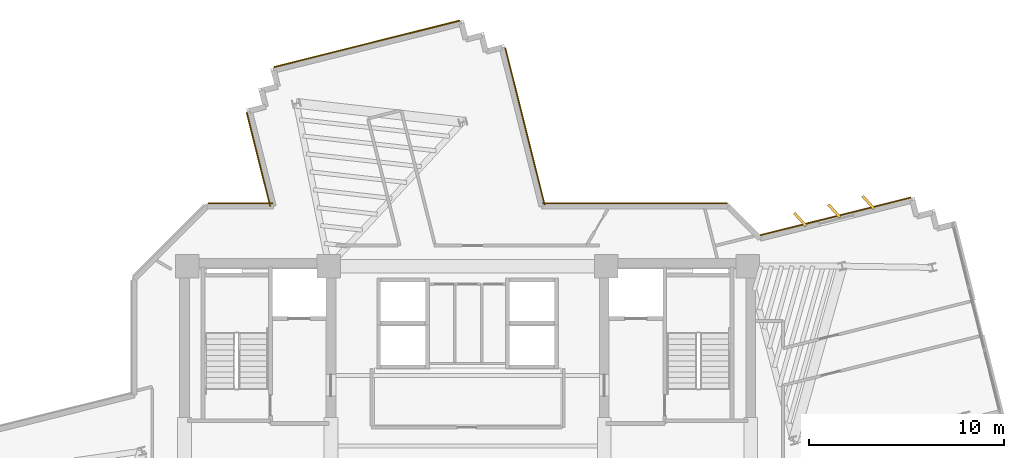
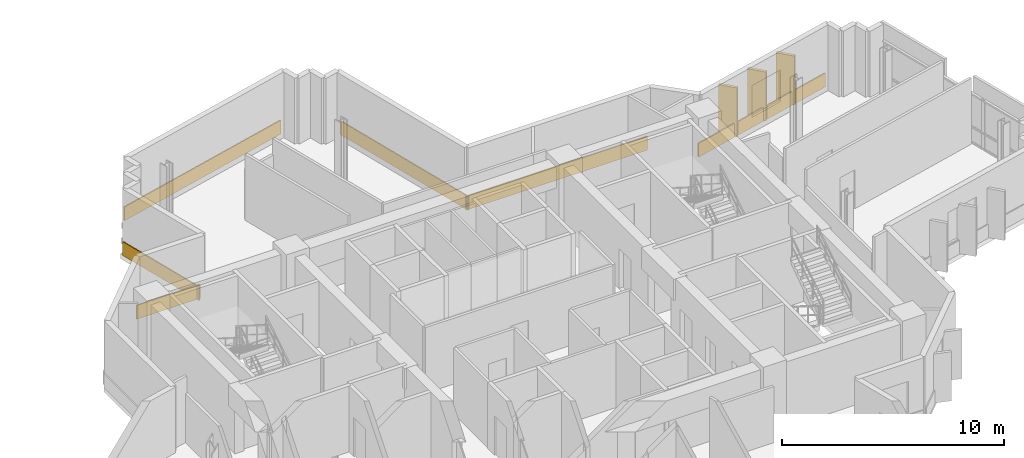
# One storey, part 13 of 13: 9 coverings.
"""IFC4 building model written with IfcOpenShell, lengths in metres."""

from ifc_helpers import new_model, si_unit, direction, frame, origin, origin_2d, place, context, subcontext, project, spatial, rectangle, extrude, source, transform, mapped, material, layer, layer_set, type_object, element, save


model = new_model("IFC4")

# Units and contexts
model_context = context("Model", 3, precision=1e-05, world=origin(), true_north=direction((0.0, 1.0)))
body_context = subcontext(model_context, "Body", "Model", "MODEL_VIEW")
ifc_project = project(units=[si_unit("LENGTHUNIT", "METRE"), si_unit("AREAUNIT", "SQUARE_METRE"), si_unit("VOLUMEUNIT", "CUBIC_METRE"), si_unit("PLANEANGLEUNIT", "RADIAN"), si_unit("MASSUNIT", "GRAM", prefix="KILO")], contexts=[model_context])

# Site, building, storey
site_placement = place(None, origin())
site = spatial("IfcSite", under=ifc_project, at=site_placement, CompositionType="ELEMENT")
building_placement = place(site_placement, origin())
building = spatial("IfcBuilding", under=site, at=building_placement, Name="Zahravan Cultural Tower", CompositionType="ELEMENT")
storey_placement = place(building_placement, frame((0.0, 0.0, 186.300048828125)))
storey = spatial("IfcBuildingStorey", under=building, at=storey_placement, Name="L43", CompositionType="ELEMENT", Elevation=186.300048828125)

# Coverings
ifc_material = material(Name="Terracotta ceramic cladding", Category="masonry")
ifc_layer = layer(ifc_material, 0.06005859375)
ifc_layer_set = layer_set([ifc_layer], Name="Terracotta ceramic cladding")
covering_type = type_object("IfcCoveringType", Name="COV-CLAD-TC60", PredefinedType="CLADDING", material=ifc_layer_set)
shared_shape_1 = source(origin(), body_context, "Body", "SweptSolid", [
    extrude(rectangle(XDim=9.820068359375, YDim=0.06005859375, at=origin_2d()), origin(), (0.0, 0.0, 1.0), 0.760009765625),
])
covering_1_placement = place(storey_placement, frame((30.843505859375, 47.589111328125, 0.02001953125), z_axis=(0.0, 0.0, 1.0), x_axis=(0.970041854282, 0.242937854074, 0.0)))
element("IfcCovering", 1, at=covering_1_placement, inside=storey, type_object=covering_type, Name="L43 Terracotta Spandrel Cladding 45", PredefinedType="CLADDING", context=body_context, shape_type="MappedRepresentation", body=[
    mapped(shared_shape_1, transform((0.0, 0.0, 0.0), x_axis=(1.0, 0.0, 0.0), y_axis=(0.0, 1.0, 0.0), z_axis=(0.0, 0.0, 1.0), scale=1.0)),
])
shared_shape_2 = source(origin(), body_context, "Body", "SweptSolid", [
    extrude(rectangle(XDim=0.8798828125, YDim=0.139892578125, at=origin_2d()), origin(), (0.0, 0.0, 1.0), 2.699951171875),
])
for number, where, z_axis, x_axis, name in (
    (2, (53.03076171875, 38.5947265625, 0.0498046875), (0.0, 0.0, 1.0), (-0.669908458766, 0.742443706198, 0.0), "L43 Herringbone Terracotta Fin 01"),
    (3, (54.776611328125, 39.031982421875, 0.0498046875), (0.0, 0.0, 1.0), (-0.669908458766, 0.742443706198, 0.0), "L43 Herringbone Terracotta Fin 02"),
    (4, (56.522705078125, 39.46923828125, 0.0498046875), (0.0, 0.0, 1.0), (-0.669908458766, 0.742443706198, 0.0), "L43 Herringbone Terracotta Fin 03"),
):
    element("IfcCovering", number, at=place(storey_placement, frame(where, z_axis=z_axis, x_axis=x_axis)), inside=storey, type_object=covering_type, Name=name, PredefinedType="CLADDING", context=body_context, shape_type="MappedRepresentation", body=[
        mapped(shared_shape_2, transform((0.0, 0.0, 0.0), x_axis=(1.0, 0.0, 0.0), y_axis=(0.0, 1.0, 0.0), z_axis=(0.0, 0.0, 1.0), scale=1.0)),
    ])
shared_shape_3 = source(origin(), body_context, "Body", "SweptSolid", [
    extrude(rectangle(XDim=7.945556640625, YDim=0.06005859375, at=origin_2d()), origin(), (0.0, 0.0, 1.0), 0.760009765625),
])
covering_2_placement = place(storey_placement, frame((54.845947265625, 38.755615234375, 0.02001953125), z_axis=(0.0, 0.0, 1.0), x_axis=(0.970041854282, 0.242937854074, 0.0)))
element("IfcCovering", 5, at=covering_2_placement, inside=storey, type_object=covering_type, Name="L43 Terracotta Spandrel Cladding 01", PredefinedType="CLADDING", context=body_context, shape_type="MappedRepresentation", body=[
    mapped(shared_shape_3, transform((0.0, 0.0, 0.0), x_axis=(1.0, 0.0, 0.0), y_axis=(0.0, 1.0, 0.0), z_axis=(0.0, 0.0, 1.0), scale=1.0)),
])
shared_shape_4 = source(origin(), body_context, "Body", "SweptSolid", [
    extrude(rectangle(XDim=3.305908203125, YDim=0.06005859375, at=origin_2d()), origin(), (0.0, 0.0, 1.0), 0.760009765625),
])
covering_3_placement = place(storey_placement, frame((24.361083984375, 39.425048828125, 0.02001953125), z_axis=(0.0, 0.0, 1.0), x_axis=(1.0, 0.0, 0.0)))
element("IfcCovering", 6, at=covering_3_placement, inside=storey, type_object=covering_type, Name="L43 Terracotta Spandrel Cladding 39", PredefinedType="CLADDING", context=body_context, shape_type="MappedRepresentation", body=[
    mapped(shared_shape_4, transform((0.0, 0.0, 0.0), x_axis=(1.0, 0.0, 0.0), y_axis=(0.0, 1.0, 0.0), z_axis=(0.0, 0.0, 1.0), scale=1.0)),
])
shared_shape_5 = source(origin(), body_context, "Body", "SweptSolid", [
    extrude(rectangle(XDim=4.953369140625, YDim=0.06005859375, at=origin_2d()), origin(), (0.0, 0.0, 1.0), 0.760009765625),
])
covering_4_placement = place(storey_placement, frame((25.2900390625, 41.6708984375, 0.02001953125), z_axis=(0.0, 0.0, 1.0), x_axis=(-0.242937854074, 0.970041854282, 0.0)))
element("IfcCovering", 7, at=covering_4_placement, inside=storey, type_object=covering_type, Name="L43 Terracotta Spandrel Cladding 40", PredefinedType="CLADDING", context=body_context, shape_type="MappedRepresentation", body=[
    mapped(shared_shape_5, transform((0.0, 0.0, 0.0), x_axis=(1.0, 0.0, 0.0), y_axis=(0.0, 1.0, 0.0), z_axis=(0.0, 0.0, 1.0), scale=1.0)),
])
shared_shape_6 = source(origin(), body_context, "Body", "SweptSolid", [
    extrude(rectangle(XDim=8.289306640625, YDim=0.06005859375, at=origin_2d()), origin(), (0.0, 0.0, 1.0), 0.760009765625),
])
covering_5_placement = place(storey_placement, frame((38.936279296875, 43.369140625, 0.02001953125), z_axis=(0.0, 0.0, 1.0), x_axis=(0.242920923613, -0.970046094199, 0.0)))
element("IfcCovering", 8, at=covering_5_placement, inside=storey, type_object=covering_type, Name="L43 Terracotta Spandrel Cladding 50", PredefinedType="CLADDING", context=body_context, shape_type="MappedRepresentation", body=[
    mapped(shared_shape_6, transform((0.0, 0.0, 0.0), x_axis=(1.0, 0.0, 0.0), y_axis=(0.0, 1.0, 0.0), z_axis=(0.0, 0.0, 1.0), scale=1.0)),
])
shared_shape_7 = source(origin(), body_context, "Body", "SweptSolid", [
    extrude(rectangle(XDim=9.44677734375, YDim=0.06005859375, at=origin_2d()), origin(), (0.0, 0.0, 1.0), 0.760009765625),
])
covering_6_placement = place(storey_placement, frame((44.568603515625, 39.425048828125, 0.02001953125), z_axis=(0.0, 0.0, 1.0), x_axis=(1.0, 0.0, 0.0)))
element("IfcCovering", 9, at=covering_6_placement, inside=storey, type_object=covering_type, Name="L43 Terracotta Spandrel Cladding 51", PredefinedType="CLADDING", context=body_context, shape_type="MappedRepresentation", body=[
    mapped(shared_shape_7, transform((0.0, 0.0, 0.0), x_axis=(1.0, 0.0, 0.0), y_axis=(0.0, 1.0, 0.0), z_axis=(0.0, 0.0, 1.0), scale=1.0)),
])

save(model, "model.ifc")
